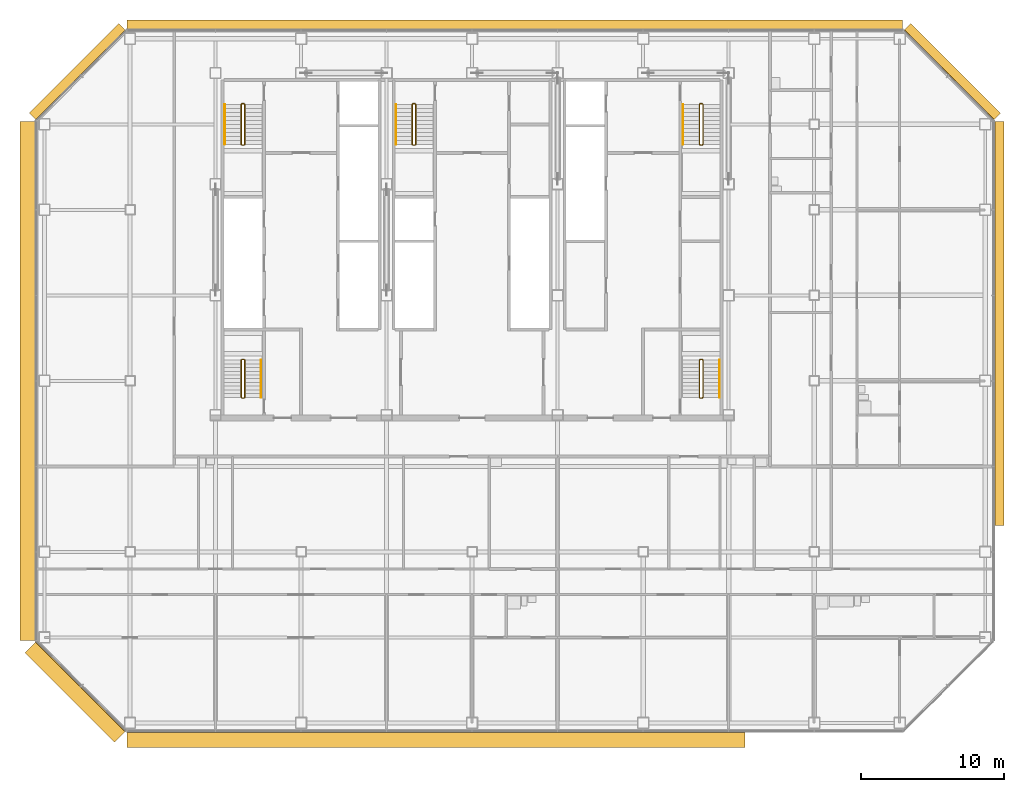
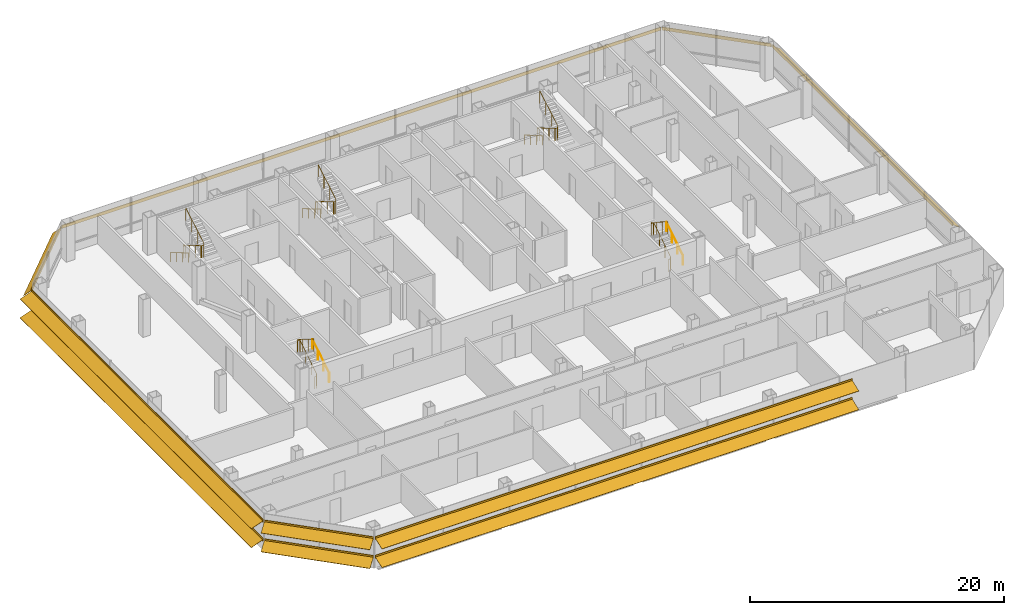
# One storey, part 24 of 25: 10 railings, 7 shading devices.
"""IFC4 building model written with IfcOpenShell, lengths in metres."""

from ifc_helpers import new_model, si_unit, direction, frame, origin, origin_2d, place, context, subcontext, project, spatial, polyline, circle, outline, composite_profile, extrude, material, type_object, element, save


model = new_model("IFC4")

# Units and contexts
model_context = context("Model", 3, precision=1e-05, world=origin(), true_north=direction((0.0, 1.0)))
body_context = subcontext(model_context, "Body", "Model", "MODEL_VIEW")
ifc_project = project(units=[si_unit("LENGTHUNIT", "METRE"), si_unit("AREAUNIT", "SQUARE_METRE"), si_unit("VOLUMEUNIT", "CUBIC_METRE"), si_unit("PLANEANGLEUNIT", "RADIAN"), si_unit("MASSUNIT", "GRAM", prefix="KILO")], contexts=[model_context])

# Site, building, storey
site_placement = place(None, origin())
site = spatial("IfcSite", under=ifc_project, at=site_placement, CompositionType="ELEMENT")
building_placement = place(site_placement, origin())
building = spatial("IfcBuilding", under=site, at=building_placement, Name="Sorahane Residences", CompositionType="ELEMENT")
storey_placement = place(building_placement, frame((0.0, 0.0, 130.39990234375)))
storey = spatial("IfcBuildingStorey", under=building, at=storey_placement, Name="L29", CompositionType="ELEMENT", Elevation=130.39990234375)

# Shading devices
ifc_material_1 = material(Name="Terracotta anodised aluminium", Category="masonry")
shading_device_type_1 = type_object("IfcShadingDeviceType", Name="Louvre sunshade blade E terracotta aluminium 700", PredefinedType="JALOUSIE", material=ifc_material_1)
shading_device_1_placement = place(storey_placement, frame((60.60009765625, 13.869384765625, 2.7001953125), z_axis=(0.0, 1.0, 0.0), x_axis=(-1.0, 0.0, 0.0)))
element("IfcShadingDevice", 1, at=shading_device_1_placement, inside=storey, type_object=shading_device_type_1, Name="Louvre sunshade blade bank E L29 E1", PredefinedType="JALOUSIE", context=body_context, shape_type="SweptSolid", body=[
    extrude(outline(polyline([(-0.719970703125, -0.49365234375), (-0.719970703125, -0.523681640625), (-0.080078125, -0.05859375), (-0.080078125, -0.14990234375), (-0.02001953125, -0.14990234375), (-0.02001953125, -0.014892578125), (-0.02001953125, 0.014892578125), (-0.02001953125, 0.14990234375), (-0.080078125, 0.14990234375), (-0.080078125, -0.028564453125), (-0.719970703125, -0.49365234375)])), origin(), (0.0, 0.0, 1.0), 28.3291015625),
])
ifc_material_2 = material(Name="Terracotta anodised aluminium", Category="masonry")
shading_device_type_2 = type_object("IfcShadingDeviceType", Name="Louvre sunshade blade N terracotta aluminium 700", PredefinedType="JALOUSIE", material=ifc_material_2)
shading_device_2_placement = place(storey_placement, frame((54.198486328125, 48.60009765625, 2.7001953125), z_axis=(-1.0, 0.0, 0.0), x_axis=(0.0, -1.0, 0.0)))
element("IfcShadingDevice", 2, at=shading_device_2_placement, inside=storey, type_object=shading_device_type_2, Name="Louvre sunshade blade bank N L29 N1", PredefinedType="JALOUSIE", context=body_context, shape_type="SweptSolid", body=[
    extrude(outline(polyline([(-0.719970703125, -0.660888671875), (-0.719970703125, -0.69091796875), (-0.080078125, -0.072998046875), (-0.080078125, -0.14990234375), (-0.02001953125, -0.14990234375), (-0.02001953125, -0.014892578125), (-0.02001953125, 0.014892578125), (-0.02001953125, 0.14990234375), (-0.080078125, 0.14990234375), (-0.080078125, -0.04296875), (-0.719970703125, -0.660888671875)])), origin(), (0.0, 0.0, 1.0), 54.39697265625),
])
ifc_material_3 = material(Name="Terracotta anodised aluminium", Category="masonry")
shading_device_type_3 = type_object("IfcShadingDeviceType", Name="Louvre sunshade blade NE terracotta aluminium 700", PredefinedType="JALOUSIE", material=ifc_material_3)
shading_device_3_placement = place(storey_placement, frame((60.564697265625, 42.283935546875, 2.7001953125), z_axis=(-0.707106781187, 0.707106781187, 0.0), x_axis=(-0.707106781187, -0.707106781187, 0.0)))
element("IfcShadingDevice", 3, at=shading_device_3_placement, inside=storey, type_object=shading_device_type_3, Name="Louvre sunshade blade bank NE L29 NE1", PredefinedType="JALOUSIE", context=body_context, shape_type="SweptSolid", body=[
    extrude(outline(polyline([(-0.719970703125, -0.572509765625), (-0.719970703125, -0.602294921875), (-0.080078125, -0.065185546875), (-0.080078125, -0.14990234375), (-0.02001953125, -0.14990234375), (-0.02001953125, -0.014892578125), (-0.02001953125, 0.014892578125), (-0.02001953125, 0.14990234375), (-0.080078125, 0.14990234375), (-0.080078125, -0.035400390625), (-0.719970703125, -0.572509765625)])), origin(), (0.0, 0.0, 1.0), 8.88232421875),
])
ifc_material_4 = material(Name="Terracotta anodised aluminium", Category="masonry")
shading_device_type_4 = type_object("IfcShadingDeviceType", Name="Louvre sunshade blade NW terracotta aluminium 700", PredefinedType="JALOUSIE", material=ifc_material_4)
shading_device_4_placement = place(storey_placement, frame((-0.283935546875, 48.564697265625, 2.7001953125), z_axis=(-0.707106781187, -0.707106781187, 0.0), x_axis=(0.707106781187, -0.707106781187, 0.0)))
element("IfcShadingDevice", 4, at=shading_device_4_placement, inside=storey, type_object=shading_device_type_4, Name="Louvre sunshade blade bank NW L29 NW1", PredefinedType="JALOUSIE", context=body_context, shape_type="SweptSolid", body=[
    extrude(outline(polyline([(-0.719970703125, -0.660888671875), (-0.719970703125, -0.69091796875), (-0.080078125, -0.072998046875), (-0.080078125, -0.14990234375), (-0.02001953125, -0.14990234375), (-0.02001953125, -0.014892578125), (-0.02001953125, 0.014892578125), (-0.02001953125, 0.14990234375), (-0.080078125, 0.14990234375), (-0.080078125, -0.04296875), (-0.719970703125, -0.660888671875)])), origin(), (0.0, 0.0, 1.0), 8.88232421875),
])
ifc_material_5 = material(Name="Terracotta anodised aluminium", Category="masonry")
shading_device_type_5 = type_object("IfcShadingDeviceType", Name="Louvre sunshade blade S terracotta aluminium 1100", PredefinedType="JALOUSIE", material=ifc_material_5)
shading_device_5_placement = place(storey_placement, frame((-0.198486328125, -0.60009765625, 0.900146484375), z_axis=(1.0, 0.0, 0.0), x_axis=(0.0, 1.0, 0.0)))
element("IfcShadingDevice", 5, at=shading_device_5_placement, inside=storey, type_object=shading_device_type_5, Name="Louvre sunshade blade bank S L29 S1", PredefinedType="JALOUSIE", context=body_context, shape_type="SweptSolid", body=[
    extrude(composite_profile([outline(polyline([(-1.1201171875, -0.385498046875), (-1.1201171875, -0.415283203125), (-0.080078125, -0.036865234375), (-0.080078125, -0.14990234375), (-0.02001953125, -0.14990234375), (-0.02001953125, -0.014892578125), (-0.02001953125, 0.014892578125), (-0.02001953125, 0.14990234375), (-0.080078125, 0.14990234375), (-0.080078125, -0.0068359375), (-1.1201171875, -0.385498046875)])), outline(polyline([(-1.1201171875, 1.41455078125), (-1.1201171875, 1.384521484375), (-0.080078125, 1.76318359375), (-0.080078125, 1.64990234375), (-0.02001953125, 1.64990234375), (-0.02001953125, 1.784912109375), (-0.02001953125, 1.81494140625), (-0.02001953125, 1.949951171875), (-0.080078125, 1.949951171875), (-0.080078125, 1.793212890625), (-1.1201171875, 1.41455078125)]))]), origin(), (0.0, 0.0, 1.0), 43.3291015625),
])
ifc_material_6 = material(Name="Terracotta anodised aluminium", Category="masonry")
shading_device_type_6 = type_object("IfcShadingDeviceType", Name="Louvre sunshade blade SW terracotta aluminium 1100", PredefinedType="JALOUSIE", material=ifc_material_6)
shading_device_6_placement = place(storey_placement, frame((-6.564697265625, 5.716064453125, 0.900146484375), z_axis=(0.707106781187, -0.707106781187, 0.0), x_axis=(0.707106781187, 0.707106781187, 0.0)))
element("IfcShadingDevice", 6, at=shading_device_6_placement, inside=storey, type_object=shading_device_type_6, Name="Louvre sunshade blade bank SW L29 SW1", PredefinedType="JALOUSIE", context=body_context, shape_type="SweptSolid", body=[
    extrude(composite_profile([outline(polyline([(-1.1201171875, -0.385498046875), (-1.1201171875, -0.415283203125), (-0.080078125, -0.036865234375), (-0.080078125, -0.14990234375), (-0.02001953125, -0.14990234375), (-0.02001953125, -0.014892578125), (-0.02001953125, 0.014892578125), (-0.02001953125, 0.14990234375), (-0.080078125, 0.14990234375), (-0.080078125, -0.0068359375), (-1.1201171875, -0.385498046875)])), outline(polyline([(-1.1201171875, 1.41455078125), (-1.1201171875, 1.384521484375), (-0.080078125, 1.76318359375), (-0.080078125, 1.64990234375), (-0.02001953125, 1.64990234375), (-0.02001953125, 1.784912109375), (-0.02001953125, 1.81494140625), (-0.02001953125, 1.949951171875), (-0.080078125, 1.949951171875), (-0.080078125, 1.793212890625), (-1.1201171875, 1.41455078125)]))]), origin(), (0.0, 0.0, 1.0), 8.88232421875),
])
ifc_material_7 = material(Name="Terracotta anodised aluminium", Category="masonry")
shading_device_type_7 = type_object("IfcShadingDeviceType", Name="Louvre sunshade blade W terracotta aluminium 1100", PredefinedType="JALOUSIE", material=ifc_material_7)
shading_device_7_placement = place(storey_placement, frame((-6.60009765625, 42.198486328125, 0.900146484375), z_axis=(0.0, -1.0, 0.0), x_axis=(1.0, 0.0, 0.0)))
element("IfcShadingDevice", 7, at=shading_device_7_placement, inside=storey, type_object=shading_device_type_7, Name="Louvre sunshade blade bank W L29 W1", PredefinedType="JALOUSIE", context=body_context, shape_type="SweptSolid", body=[
    extrude(composite_profile([outline(polyline([(-1.1201171875, -0.385498046875), (-1.1201171875, -0.415283203125), (-0.080078125, -0.036865234375), (-0.080078125, -0.14990234375), (-0.02001953125, -0.14990234375), (-0.02001953125, -0.014892578125), (-0.02001953125, 0.014892578125), (-0.02001953125, 0.14990234375), (-0.080078125, 0.14990234375), (-0.080078125, -0.0068359375), (-1.1201171875, -0.385498046875)])), outline(polyline([(-1.1201171875, 1.41455078125), (-1.1201171875, 1.384521484375), (-0.080078125, 1.76318359375), (-0.080078125, 1.64990234375), (-0.02001953125, 1.64990234375), (-0.02001953125, 1.784912109375), (-0.02001953125, 1.81494140625), (-0.02001953125, 1.949951171875), (-0.080078125, 1.949951171875), (-0.080078125, 1.793212890625), (-1.1201171875, 1.41455078125)]))]), origin(), (0.0, 0.0, 1.0), 36.39697265625),
])

# Railings
ifc_material_8 = material(Name="Steel Q355B", Category="steel")
railing_type_1 = type_object("IfcRailingType", Name="Stair guard 1200 Steel Q355B", PredefinedType="GUARDRAIL", material=ifc_material_8)
railing_1_placement = place(storey_placement, frame((8.0, 43.449951171875, 0.0)))
element("IfcRailing", 8, at=railing_1_placement, inside=storey, type_object=railing_type_1, Name="L29 S1 stair guard 1", PredefinedType="GUARDRAIL", context=body_context, shape_type="SweptSolid", body=[
    extrude(circle(Radius=0.02392578125, at=origin_2d()), frame((0.0, 0.0, 1.17578125), z_axis=(-1.0, 0.0, 0.0), x_axis=(0.0, -1.0, 0.0)), (0.0, 0.0, 1.0), 0.14990234375),
    extrude(circle(Radius=0.02392578125, at=origin_2d()), frame((-0.14990234375, 0.0, 1.17578125), z_axis=(-0.280456126637, -0.280456126637, 0.917980785237), x_axis=(0.707106781187, -0.707106781187, 0.0)), (0.0, 0.0, 1.0), 0.178466796875),
    extrude(circle(Radius=0.02392578125, at=origin_2d()), frame((-0.199951171875, -0.050048828125, 1.33984375), z_axis=(0.0, -0.863374499697, 0.504563646405), x_axis=(1.0, 0.0, 0.0)), (0.0, 0.0, 1.0), 3.242919921875),
    extrude(circle(Radius=0.02392578125, at=origin_2d()), frame((-0.199951171875, -2.849853515625, 2.97607421875), z_axis=(0.707106781187, -0.707106781187, 0.0), x_axis=(0.707106781187, 0.707106781187, 0.0)), (0.0, 0.0, 1.0), 0.07080078125),
    extrude(circle(Radius=0.02392578125, at=origin_2d()), frame((-0.14990234375, -2.89990234375, 2.97607421875), z_axis=(1.0, 0.0, 0.0), x_axis=(0.0, 1.0, 0.0)), (0.0, 0.0, 1.0), 0.14990234375),
    extrude(circle(Radius=0.02392578125, at=origin_2d()), frame((0.0, -2.89990234375, 2.97607421875), z_axis=(0.280808744504, 0.280808744504, 0.917765164963), x_axis=(-0.707106781187, 0.707106781187, 0.0)), (0.0, 0.0, 1.0), 0.17822265625),
    extrude(circle(Radius=0.02392578125, at=origin_2d()), frame((0.050048828125, -2.849853515625, 3.1396484375), z_axis=(0.0, 0.863341702679, 0.504619762213), x_axis=(-1.0, 0.0, 0.0)), (0.0, 0.0, 1.0), 3.242919921875),
    extrude(circle(Radius=0.02099609375, at=origin_2d()), origin(), (0.0, 0.0, 1.0), 1.15185546875),
    extrude(circle(Radius=0.02099609375, at=origin_2d()), frame((-0.14990234375, 0.0, 0.0)), (0.0, 0.0, 1.0), 1.15185546875),
    extrude(circle(Radius=0.02099609375, at=origin_2d()), frame((-0.199951171875, -0.050048828125, 0.163818359375)), (0.0, 0.0, 1.0), 1.15185546875),
    extrude(circle(Radius=0.02099609375, at=origin_2d()), frame((-0.199951171875, -0.9833984375, 0.709228515625)), (0.0, 0.0, 1.0), 1.15185546875),
    extrude(circle(Radius=0.02099609375, at=origin_2d()), frame((-0.199951171875, -1.91650390625, 1.254638671875)), (0.0, 0.0, 1.0), 1.15185546875),
    extrude(circle(Radius=0.02099609375, at=origin_2d()), frame((-0.199951171875, -2.849853515625, 1.800048828125)), (0.0, 0.0, 1.0), 1.15185546875),
    extrude(circle(Radius=0.02099609375, at=origin_2d()), frame((-0.14990234375, -2.89990234375, 1.800048828125)), (0.0, 0.0, 1.0), 1.15185546875),
    extrude(circle(Radius=0.02099609375, at=origin_2d()), frame((0.0, -2.89990234375, 1.800048828125)), (0.0, 0.0, 1.0), 1.15185546875),
    extrude(circle(Radius=0.02099609375, at=origin_2d()), frame((0.050048828125, -2.849853515625, 1.963623046875)), (0.0, 0.0, 1.0), 1.15185546875),
    extrude(circle(Radius=0.02099609375, at=origin_2d()), frame((0.050048828125, -1.91650390625, 2.509033203125)), (0.0, 0.0, 1.0), 1.15185546875),
    extrude(circle(Radius=0.02099609375, at=origin_2d()), frame((0.050048828125, -0.9833984375, 3.0546875)), (0.0, 0.0, 1.0), 1.15185546875),
    extrude(circle(Radius=0.02099609375, at=origin_2d()), frame((0.050048828125, -0.050048828125, 3.60009765625)), (0.0, 0.0, 1.0), 1.15185546875),
])
railing_2_placement = place(storey_placement, frame((40.14990234375, 43.449951171875, 0.0)))
element("IfcRailing", 9, at=railing_2_placement, inside=storey, type_object=railing_type_1, Name="L29 S2 stair guard 1", PredefinedType="GUARDRAIL", context=body_context, shape_type="SweptSolid", body=[
    extrude(circle(Radius=0.02392578125, at=origin_2d()), frame((0.0, 0.0, 1.17578125), z_axis=(-1.0, 0.0, 0.0), x_axis=(0.0, -1.0, 0.0)), (0.0, 0.0, 1.0), 0.14990234375),
    extrude(circle(Radius=0.02392578125, at=origin_2d()), frame((-0.14990234375, 0.0, 1.17578125), z_axis=(-0.280456126637, -0.280456126637, 0.917980785237), x_axis=(0.707106781187, -0.707106781187, 0.0)), (0.0, 0.0, 1.0), 0.178466796875),
    extrude(circle(Radius=0.02392578125, at=origin_2d()), frame((-0.199951171875, -0.050048828125, 1.33984375), z_axis=(0.0, -0.863374499697, 0.504563646405), x_axis=(1.0, 0.0, 0.0)), (0.0, 0.0, 1.0), 3.242919921875),
    extrude(circle(Radius=0.02392578125, at=origin_2d()), frame((-0.199951171875, -2.849853515625, 2.97607421875), z_axis=(0.707106781187, -0.707106781187, 0.0), x_axis=(0.707106781187, 0.707106781187, 0.0)), (0.0, 0.0, 1.0), 0.07080078125),
    extrude(circle(Radius=0.02392578125, at=origin_2d()), frame((-0.14990234375, -2.89990234375, 2.97607421875), z_axis=(1.0, 0.0, 0.0), x_axis=(0.0, 1.0, 0.0)), (0.0, 0.0, 1.0), 0.14990234375),
    extrude(circle(Radius=0.02392578125, at=origin_2d()), frame((0.0, -2.89990234375, 2.97607421875), z_axis=(0.280808744504, 0.280808744504, 0.917765164963), x_axis=(-0.707106781187, 0.707106781187, 0.0)), (0.0, 0.0, 1.0), 0.17822265625),
    extrude(circle(Radius=0.02392578125, at=origin_2d()), frame((0.050048828125, -2.849853515625, 3.1396484375), z_axis=(0.0, 0.863341702679, 0.504619762213), x_axis=(-1.0, 0.0, 0.0)), (0.0, 0.0, 1.0), 3.242919921875),
    extrude(circle(Radius=0.02099609375, at=origin_2d()), origin(), (0.0, 0.0, 1.0), 1.15185546875),
    extrude(circle(Radius=0.02099609375, at=origin_2d()), frame((-0.14990234375, 0.0, 0.0)), (0.0, 0.0, 1.0), 1.15185546875),
    extrude(circle(Radius=0.02099609375, at=origin_2d()), frame((-0.199951171875, -0.050048828125, 0.163818359375)), (0.0, 0.0, 1.0), 1.15185546875),
    extrude(circle(Radius=0.02099609375, at=origin_2d()), frame((-0.199951171875, -0.9833984375, 0.709228515625)), (0.0, 0.0, 1.0), 1.15185546875),
    extrude(circle(Radius=0.02099609375, at=origin_2d()), frame((-0.199951171875, -1.91650390625, 1.254638671875)), (0.0, 0.0, 1.0), 1.15185546875),
    extrude(circle(Radius=0.02099609375, at=origin_2d()), frame((-0.199951171875, -2.849853515625, 1.800048828125)), (0.0, 0.0, 1.0), 1.15185546875),
    extrude(circle(Radius=0.02099609375, at=origin_2d()), frame((-0.14990234375, -2.89990234375, 1.800048828125)), (0.0, 0.0, 1.0), 1.15185546875),
    extrude(circle(Radius=0.02099609375, at=origin_2d()), frame((0.0, -2.89990234375, 1.800048828125)), (0.0, 0.0, 1.0), 1.15185546875),
    extrude(circle(Radius=0.02099609375, at=origin_2d()), frame((0.050048828125, -2.849853515625, 1.963623046875)), (0.0, 0.0, 1.0), 1.15185546875),
    extrude(circle(Radius=0.02099609375, at=origin_2d()), frame((0.050048828125, -1.91650390625, 2.509033203125)), (0.0, 0.0, 1.0), 1.15185546875),
    extrude(circle(Radius=0.02099609375, at=origin_2d()), frame((0.050048828125, -0.9833984375, 3.0546875)), (0.0, 0.0, 1.0), 1.15185546875),
    extrude(circle(Radius=0.02099609375, at=origin_2d()), frame((0.050048828125, -0.050048828125, 3.60009765625)), (0.0, 0.0, 1.0), 1.15185546875),
])
railing_3_placement = place(storey_placement, frame((20.0, 43.449951171875, 0.0)))
element("IfcRailing", 10, at=railing_3_placement, inside=storey, type_object=railing_type_1, Name="L29 S3 stair guard 1", PredefinedType="GUARDRAIL", context=body_context, shape_type="SweptSolid", body=[
    extrude(circle(Radius=0.02392578125, at=origin_2d()), frame((0.0, 0.0, 1.17578125), z_axis=(-1.0, 0.0, 0.0), x_axis=(0.0, -1.0, 0.0)), (0.0, 0.0, 1.0), 0.14990234375),
    extrude(circle(Radius=0.02392578125, at=origin_2d()), frame((-0.14990234375, 0.0, 1.17578125), z_axis=(-0.280456126637, -0.280456126637, 0.917980785237), x_axis=(0.707106781187, -0.707106781187, 0.0)), (0.0, 0.0, 1.0), 0.178466796875),
    extrude(circle(Radius=0.02392578125, at=origin_2d()), frame((-0.199951171875, -0.050048828125, 1.33984375), z_axis=(0.0, -0.863374499697, 0.504563646405), x_axis=(1.0, 0.0, 0.0)), (0.0, 0.0, 1.0), 3.242919921875),
    extrude(circle(Radius=0.02392578125, at=origin_2d()), frame((-0.199951171875, -2.849853515625, 2.97607421875), z_axis=(0.707106781187, -0.707106781187, 0.0), x_axis=(0.707106781187, 0.707106781187, 0.0)), (0.0, 0.0, 1.0), 0.07080078125),
    extrude(circle(Radius=0.02392578125, at=origin_2d()), frame((-0.14990234375, -2.89990234375, 2.97607421875), z_axis=(1.0, 0.0, 0.0), x_axis=(0.0, 1.0, 0.0)), (0.0, 0.0, 1.0), 0.14990234375),
    extrude(circle(Radius=0.02392578125, at=origin_2d()), frame((0.0, -2.89990234375, 2.97607421875), z_axis=(0.280808744504, 0.280808744504, 0.917765164963), x_axis=(-0.707106781187, 0.707106781187, 0.0)), (0.0, 0.0, 1.0), 0.17822265625),
    extrude(circle(Radius=0.02392578125, at=origin_2d()), frame((0.050048828125, -2.849853515625, 3.1396484375), z_axis=(0.0, 0.863341702679, 0.504619762213), x_axis=(-1.0, 0.0, 0.0)), (0.0, 0.0, 1.0), 3.242919921875),
    extrude(circle(Radius=0.02099609375, at=origin_2d()), origin(), (0.0, 0.0, 1.0), 1.15185546875),
    extrude(circle(Radius=0.02099609375, at=origin_2d()), frame((-0.14990234375, 0.0, 0.0)), (0.0, 0.0, 1.0), 1.15185546875),
    extrude(circle(Radius=0.02099609375, at=origin_2d()), frame((-0.199951171875, -0.050048828125, 0.163818359375)), (0.0, 0.0, 1.0), 1.15185546875),
    extrude(circle(Radius=0.02099609375, at=origin_2d()), frame((-0.199951171875, -0.9833984375, 0.709228515625)), (0.0, 0.0, 1.0), 1.15185546875),
    extrude(circle(Radius=0.02099609375, at=origin_2d()), frame((-0.199951171875, -1.91650390625, 1.254638671875)), (0.0, 0.0, 1.0), 1.15185546875),
    extrude(circle(Radius=0.02099609375, at=origin_2d()), frame((-0.199951171875, -2.849853515625, 1.800048828125)), (0.0, 0.0, 1.0), 1.15185546875),
    extrude(circle(Radius=0.02099609375, at=origin_2d()), frame((-0.14990234375, -2.89990234375, 1.800048828125)), (0.0, 0.0, 1.0), 1.15185546875),
    extrude(circle(Radius=0.02099609375, at=origin_2d()), frame((0.0, -2.89990234375, 1.800048828125)), (0.0, 0.0, 1.0), 1.15185546875),
    extrude(circle(Radius=0.02099609375, at=origin_2d()), frame((0.050048828125, -2.849853515625, 1.963623046875)), (0.0, 0.0, 1.0), 1.15185546875),
    extrude(circle(Radius=0.02099609375, at=origin_2d()), frame((0.050048828125, -1.91650390625, 2.509033203125)), (0.0, 0.0, 1.0), 1.15185546875),
    extrude(circle(Radius=0.02099609375, at=origin_2d()), frame((0.050048828125, -0.9833984375, 3.0546875)), (0.0, 0.0, 1.0), 1.15185546875),
    extrude(circle(Radius=0.02099609375, at=origin_2d()), frame((0.050048828125, -0.050048828125, 3.60009765625)), (0.0, 0.0, 1.0), 1.15185546875),
])
railing_4_placement = place(storey_placement, frame((7.85009765625, 22.800048828125, 0.0)))
element("IfcRailing", 11, at=railing_4_placement, inside=storey, type_object=railing_type_1, Name="L29 S4 stair guard 1", PredefinedType="GUARDRAIL", context=body_context, shape_type="SweptSolid", body=[
    extrude(circle(Radius=0.02392578125, at=origin_2d()), frame((0.0, 0.0, 1.17578125), z_axis=(1.0, 0.0, 0.0), x_axis=(0.0, 1.0, 0.0)), (0.0, 0.0, 1.0), 0.14990234375),
    extrude(circle(Radius=0.02392578125, at=origin_2d()), frame((0.14990234375, 0.0, 1.17578125), z_axis=(0.280456126637, 0.280456126637, 0.917980785237), x_axis=(-0.707106781187, 0.707106781187, 0.0)), (0.0, 0.0, 1.0), 0.178466796875),
    extrude(circle(Radius=0.02392578125, at=origin_2d()), frame((0.199951171875, 0.050048828125, 1.33984375), z_axis=(0.0, 0.846337672412, 0.532646734952), x_axis=(-1.0, 0.0, 0.0)), (0.0, 0.0, 1.0), 3.07177734375),
    extrude(circle(Radius=0.02392578125, at=origin_2d()), frame((0.199951171875, 2.64990234375, 2.97607421875), z_axis=(-0.707106781187, 0.707106781187, 0.0), x_axis=(-0.707106781187, -0.707106781187, 0.0)), (0.0, 0.0, 1.0), 0.07080078125),
    extrude(circle(Radius=0.02392578125, at=origin_2d()), frame((0.14990234375, 2.699951171875, 2.97607421875), z_axis=(-1.0, 0.0, 0.0), x_axis=(0.0, -1.0, 0.0)), (0.0, 0.0, 1.0), 0.14990234375),
    extrude(circle(Radius=0.02392578125, at=origin_2d()), frame((0.0, 2.699951171875, 2.97607421875), z_axis=(-0.280808744504, -0.280808744504, 0.917765164963), x_axis=(0.707106781187, -0.707106781187, 0.0)), (0.0, 0.0, 1.0), 0.17822265625),
    extrude(circle(Radius=0.02392578125, at=origin_2d()), frame((-0.050048828125, 2.64990234375, 3.1396484375), z_axis=(0.0, -0.846301844409, 0.532703658848), x_axis=(1.0, 0.0, 0.0)), (0.0, 0.0, 1.0), 3.072021484375),
    extrude(circle(Radius=0.02099609375, at=origin_2d()), origin(), (0.0, 0.0, 1.0), 1.15185546875),
    extrude(circle(Radius=0.02099609375, at=origin_2d()), frame((0.14990234375, 0.0, 0.0)), (0.0, 0.0, 1.0), 1.15185546875),
    extrude(circle(Radius=0.02099609375, at=origin_2d()), frame((0.199951171875, 0.050048828125, 0.163818359375)), (0.0, 0.0, 1.0), 1.15185546875),
    extrude(circle(Radius=0.02099609375, at=origin_2d()), frame((0.199951171875, 0.916748046875, 0.709228515625)), (0.0, 0.0, 1.0), 1.15185546875),
    extrude(circle(Radius=0.02099609375, at=origin_2d()), frame((0.199951171875, 1.783203125, 1.254638671875)), (0.0, 0.0, 1.0), 1.15185546875),
    extrude(circle(Radius=0.02099609375, at=origin_2d()), frame((0.199951171875, 2.64990234375, 1.800048828125)), (0.0, 0.0, 1.0), 1.15185546875),
    extrude(circle(Radius=0.02099609375, at=origin_2d()), frame((0.14990234375, 2.699951171875, 1.800048828125)), (0.0, 0.0, 1.0), 1.15185546875),
    extrude(circle(Radius=0.02099609375, at=origin_2d()), frame((0.0, 2.699951171875, 1.800048828125)), (0.0, 0.0, 1.0), 1.15185546875),
    extrude(circle(Radius=0.02099609375, at=origin_2d()), frame((-0.050048828125, 2.64990234375, 1.963623046875)), (0.0, 0.0, 1.0), 1.15185546875),
    extrude(circle(Radius=0.02099609375, at=origin_2d()), frame((-0.050048828125, 1.783203125, 2.509033203125)), (0.0, 0.0, 1.0), 1.15185546875),
    extrude(circle(Radius=0.02099609375, at=origin_2d()), frame((-0.050048828125, 0.916748046875, 3.0546875)), (0.0, 0.0, 1.0), 1.15185546875),
    extrude(circle(Radius=0.02099609375, at=origin_2d()), frame((-0.050048828125, 0.050048828125, 3.60009765625)), (0.0, 0.0, 1.0), 1.15185546875),
])
railing_5_placement = place(storey_placement, frame((40.0, 22.800048828125, 0.0)))
element("IfcRailing", 12, at=railing_5_placement, inside=storey, type_object=railing_type_1, Name="L29 S5 stair guard 1", PredefinedType="GUARDRAIL", context=body_context, shape_type="SweptSolid", body=[
    extrude(circle(Radius=0.02392578125, at=origin_2d()), frame((0.0, 0.0, 1.17578125), z_axis=(1.0, 0.0, 0.0), x_axis=(0.0, 1.0, 0.0)), (0.0, 0.0, 1.0), 0.14990234375),
    extrude(circle(Radius=0.02392578125, at=origin_2d()), frame((0.14990234375, 0.0, 1.17578125), z_axis=(0.280456126637, 0.280456126637, 0.917980785237), x_axis=(-0.707106781187, 0.707106781187, 0.0)), (0.0, 0.0, 1.0), 0.178466796875),
    extrude(circle(Radius=0.02392578125, at=origin_2d()), frame((0.199951171875, 0.050048828125, 1.33984375), z_axis=(0.0, 0.846337672412, 0.532646734952), x_axis=(-1.0, 0.0, 0.0)), (0.0, 0.0, 1.0), 3.07177734375),
    extrude(circle(Radius=0.02392578125, at=origin_2d()), frame((0.199951171875, 2.64990234375, 2.97607421875), z_axis=(-0.707106781187, 0.707106781187, 0.0), x_axis=(-0.707106781187, -0.707106781187, 0.0)), (0.0, 0.0, 1.0), 0.07080078125),
    extrude(circle(Radius=0.02392578125, at=origin_2d()), frame((0.14990234375, 2.699951171875, 2.97607421875), z_axis=(-1.0, 0.0, 0.0), x_axis=(0.0, -1.0, 0.0)), (0.0, 0.0, 1.0), 0.14990234375),
    extrude(circle(Radius=0.02392578125, at=origin_2d()), frame((0.0, 2.699951171875, 2.97607421875), z_axis=(-0.280808744504, -0.280808744504, 0.917765164963), x_axis=(0.707106781187, -0.707106781187, 0.0)), (0.0, 0.0, 1.0), 0.17822265625),
    extrude(circle(Radius=0.02392578125, at=origin_2d()), frame((-0.050048828125, 2.64990234375, 3.1396484375), z_axis=(0.0, -0.846301844409, 0.532703658848), x_axis=(1.0, 0.0, 0.0)), (0.0, 0.0, 1.0), 3.072021484375),
    extrude(circle(Radius=0.02099609375, at=origin_2d()), origin(), (0.0, 0.0, 1.0), 1.15185546875),
    extrude(circle(Radius=0.02099609375, at=origin_2d()), frame((0.14990234375, 0.0, 0.0)), (0.0, 0.0, 1.0), 1.15185546875),
    extrude(circle(Radius=0.02099609375, at=origin_2d()), frame((0.199951171875, 0.050048828125, 0.163818359375)), (0.0, 0.0, 1.0), 1.15185546875),
    extrude(circle(Radius=0.02099609375, at=origin_2d()), frame((0.199951171875, 0.916748046875, 0.709228515625)), (0.0, 0.0, 1.0), 1.15185546875),
    extrude(circle(Radius=0.02099609375, at=origin_2d()), frame((0.199951171875, 1.783203125, 1.254638671875)), (0.0, 0.0, 1.0), 1.15185546875),
    extrude(circle(Radius=0.02099609375, at=origin_2d()), frame((0.199951171875, 2.64990234375, 1.800048828125)), (0.0, 0.0, 1.0), 1.15185546875),
    extrude(circle(Radius=0.02099609375, at=origin_2d()), frame((0.14990234375, 2.699951171875, 1.800048828125)), (0.0, 0.0, 1.0), 1.15185546875),
    extrude(circle(Radius=0.02099609375, at=origin_2d()), frame((0.0, 2.699951171875, 1.800048828125)), (0.0, 0.0, 1.0), 1.15185546875),
    extrude(circle(Radius=0.02099609375, at=origin_2d()), frame((-0.050048828125, 2.64990234375, 1.963623046875)), (0.0, 0.0, 1.0), 1.15185546875),
    extrude(circle(Radius=0.02099609375, at=origin_2d()), frame((-0.050048828125, 1.783203125, 2.509033203125)), (0.0, 0.0, 1.0), 1.15185546875),
    extrude(circle(Radius=0.02099609375, at=origin_2d()), frame((-0.050048828125, 0.916748046875, 3.0546875)), (0.0, 0.0, 1.0), 1.15185546875),
    extrude(circle(Radius=0.02099609375, at=origin_2d()), frame((-0.050048828125, 0.050048828125, 3.60009765625)), (0.0, 0.0, 1.0), 1.15185546875),
])
ifc_material_9 = material(Name="Steel Q355B", Category="steel")
railing_type_2 = type_object("IfcRailingType", Name="Stair handrail 900 Steel Q355B", PredefinedType="HANDRAIL", material=ifc_material_9)
for number, where, name in (
    (13, (6.64990234375, 43.39990234375, 0.163818359375), "L29 S1 stair handrail 1"),
    (14, (38.800048828125, 43.39990234375, 0.163818359375), "L29 S2 stair handrail 1"),
    (15, (18.64990234375, 43.39990234375, 0.163818359375), "L29 S3 stair handrail 1"),
):
    element("IfcRailing", number, at=place(storey_placement, frame(where)), inside=storey, type_object=railing_type_2, Name=name, PredefinedType="HANDRAIL", context=body_context, shape_type="SweptSolid", body=[
        extrude(circle(Radius=0.02392578125, at=origin_2d()), frame((0.0, 0.0, 0.8759765625), z_axis=(0.0, -0.863374499697, 0.504563646405), x_axis=(1.0, 0.0, 0.0)), (0.0, 0.0, 1.0), 3.242919921875),
        extrude(circle(Radius=0.02099609375, at=origin_2d()), origin(), (0.0, 0.0, 1.0), 0.851806640625),
        extrude(circle(Radius=0.02099609375, at=origin_2d()), frame((0.0, -0.933349609375, 0.54541015625)), (0.0, 0.0, 1.0), 0.851806640625),
        extrude(circle(Radius=0.02099609375, at=origin_2d()), frame((0.0, -1.866455078125, 1.0908203125)), (0.0, 0.0, 1.0), 0.851806640625),
        extrude(circle(Radius=0.02099609375, at=origin_2d()), frame((0.0, -2.7998046875, 1.63623046875)), (0.0, 0.0, 1.0), 0.851806640625),
    ])
for number, where, name in (
    (16, (9.199951171875, 22.85009765625, 0.163818359375), "L29 S4 stair handrail 1"),
    (17, (41.35009765625, 22.85009765625, 0.163818359375), "L29 S5 stair handrail 1"),
):
    element("IfcRailing", number, at=place(storey_placement, frame(where)), inside=storey, type_object=railing_type_2, Name=name, PredefinedType="HANDRAIL", context=body_context, shape_type="SweptSolid", body=[
        extrude(circle(Radius=0.02392578125, at=origin_2d()), frame((0.0, 0.0, 0.8759765625), z_axis=(0.0, 0.846337672412, 0.532646734952), x_axis=(-1.0, 0.0, 0.0)), (0.0, 0.0, 1.0), 3.07177734375),
        extrude(circle(Radius=0.02099609375, at=origin_2d()), origin(), (0.0, 0.0, 1.0), 0.851806640625),
        extrude(circle(Radius=0.02099609375, at=origin_2d()), frame((0.0, 0.86669921875, 0.54541015625)), (0.0, 0.0, 1.0), 0.851806640625),
        extrude(circle(Radius=0.02099609375, at=origin_2d()), frame((0.0, 1.733154296875, 1.0908203125)), (0.0, 0.0, 1.0), 0.851806640625),
        extrude(circle(Radius=0.02099609375, at=origin_2d()), frame((0.0, 2.599853515625, 1.63623046875)), (0.0, 0.0, 1.0), 0.851806640625),
    ])

save(model, "model.ifc")
